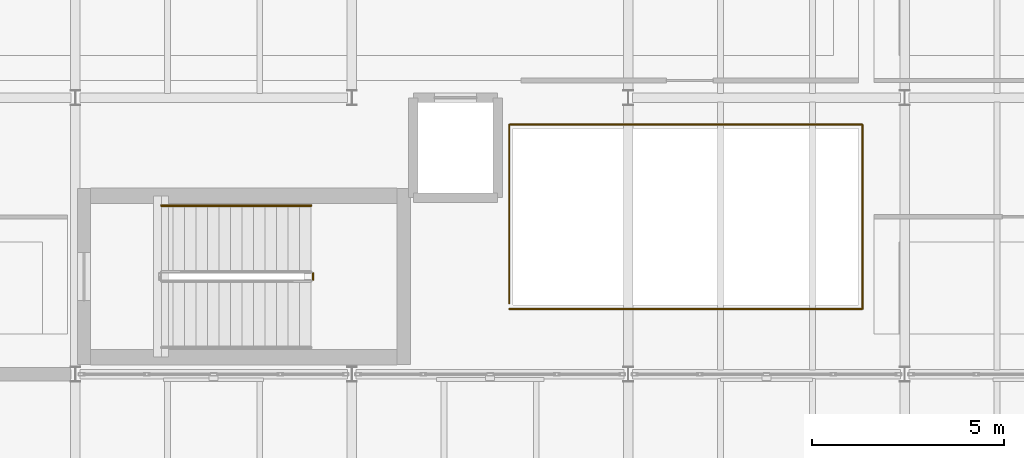
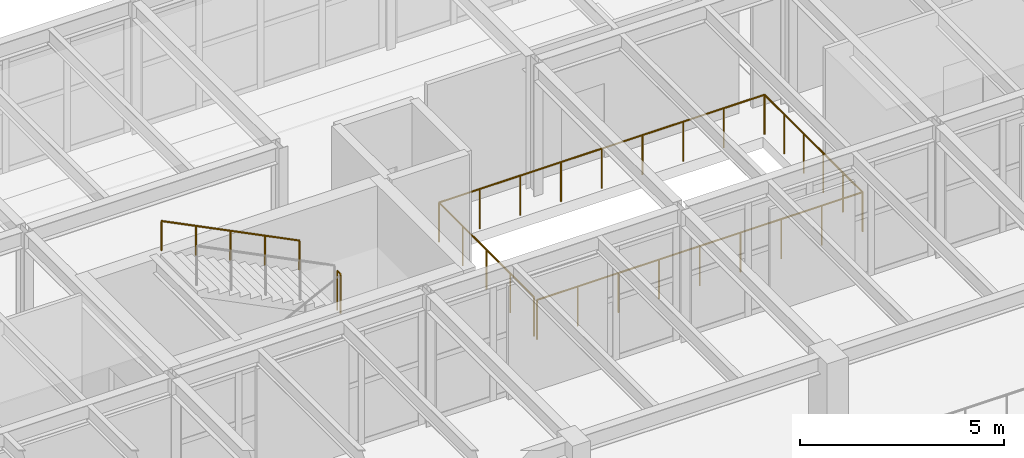
# One storey, part 56 of 59: 3 railings.
"""IFC4 building model written with IfcOpenShell, lengths in metres."""

from ifc_helpers import new_model, si_unit, direction, frame, origin, origin_2d, place, context, subcontext, project, spatial, circle, extrude, material, type_object, element, save


model = new_model("IFC4")

# Units and contexts
model_context = context("Model", 3, precision=1e-05, world=origin(), true_north=direction((0.0, 1.0)))
body_context = subcontext(model_context, "Body", "Model", "MODEL_VIEW")
ifc_project = project(units=[si_unit("LENGTHUNIT", "METRE"), si_unit("AREAUNIT", "SQUARE_METRE"), si_unit("VOLUMEUNIT", "CUBIC_METRE"), si_unit("PLANEANGLEUNIT", "RADIAN"), si_unit("MASSUNIT", "GRAM", prefix="KILO")], contexts=[model_context])

# Site, building, storey
site_placement = place(None, origin())
site = spatial("IfcSite", under=ifc_project, at=site_placement, CompositionType="ELEMENT")
building_placement = place(site_placement, origin())
building = spatial("IfcBuilding", under=site, at=building_placement, Name="Kandorven Conservatory and Botanical Research Centre", CompositionType="ELEMENT")
storey_placement = place(building_placement, frame((0.0, 0.0, 4.800048828125)))
storey = spatial("IfcBuildingStorey", under=building, at=storey_placement, Name="L01", CompositionType="ELEMENT", Elevation=4.800048828125)

# Railings
ifc_material_1 = material(Name="Steel S355 (IS 2062 E350)", Category="steel")
railing_type_1 = type_object("IfcRailingType", Name="Guard_Terrace", PredefinedType="BALUSTRADE", material=ifc_material_1)
railing_1_placement = place(storey_placement, frame((60.5, 14.89990234375, 0.0)))
element("IfcRailing", 1, at=railing_1_placement, inside=storey, type_object=railing_type_1, Name="Visitor wing atrium void guard balustrade L01", PredefinedType="BALUSTRADE", context=body_context, shape_type="SweptSolid", body=[
    extrude(circle(Radius=0.02392578125, at=origin_2d()), frame((0.0, 0.0, 1.17578125), z_axis=(1.0, 0.0, 0.0), x_axis=(0.0, 1.0, 0.0)), (0.0, 0.0, 1.0), 9.199951171875),
    extrude(circle(Radius=0.02392578125, at=origin_2d()), frame((9.199951171875, 0.0, 1.17578125), z_axis=(0.0, 1.0, 0.0), x_axis=(-1.0, 0.0, 0.0)), (0.0, 0.0, 1.0), 4.800048828125),
    extrude(circle(Radius=0.02392578125, at=origin_2d()), frame((9.199951171875, 4.800048828125, 1.17578125), z_axis=(-1.0, 0.0, 0.0), x_axis=(0.0, -1.0, 0.0)), (0.0, 0.0, 1.0), 9.199951171875),
    extrude(circle(Radius=0.02392578125, at=origin_2d()), frame((0.0, 4.800048828125, 1.17578125), z_axis=(0.0, -1.0, 0.0), x_axis=(1.0, 0.0, 0.0)), (0.0, 0.0, 1.0), 4.64990234375),
    extrude(circle(Radius=0.02099609375, at=origin_2d()), origin(), (0.0, 0.0, 1.0), 1.15185546875),
    extrude(circle(Radius=0.02099609375, at=origin_2d()), frame((1.14990234375, 0.0, 0.0)), (0.0, 0.0, 1.0), 1.15185546875),
    extrude(circle(Radius=0.02099609375, at=origin_2d()), frame((2.300048828125, 0.0, 0.0)), (0.0, 0.0, 1.0), 1.15185546875),
    extrude(circle(Radius=0.02099609375, at=origin_2d()), frame((3.449951171875, 0.0, 0.0)), (0.0, 0.0, 1.0), 1.15185546875),
    extrude(circle(Radius=0.02099609375, at=origin_2d()), frame((4.60009765625, 0.0, 0.0)), (0.0, 0.0, 1.0), 1.15185546875),
    extrude(circle(Radius=0.02099609375, at=origin_2d()), frame((5.75, 0.0, 0.0)), (0.0, 0.0, 1.0), 1.15185546875),
    extrude(circle(Radius=0.02099609375, at=origin_2d()), frame((6.89990234375, 0.0, 0.0)), (0.0, 0.0, 1.0), 1.15185546875),
    extrude(circle(Radius=0.02099609375, at=origin_2d()), frame((8.050048828125, 0.0, 0.0)), (0.0, 0.0, 1.0), 1.15185546875),
    extrude(circle(Radius=0.02099609375, at=origin_2d()), frame((9.199951171875, 0.0, 0.0)), (0.0, 0.0, 1.0), 1.15185546875),
    extrude(circle(Radius=0.02099609375, at=origin_2d()), frame((9.199951171875, 0.9599609375, 0.0)), (0.0, 0.0, 1.0), 1.15185546875),
    extrude(circle(Radius=0.02099609375, at=origin_2d()), frame((9.199951171875, 1.919921875, 0.0)), (0.0, 0.0, 1.0), 1.15185546875),
    extrude(circle(Radius=0.02099609375, at=origin_2d()), frame((9.199951171875, 2.880126953125, 0.0)), (0.0, 0.0, 1.0), 1.15185546875),
    extrude(circle(Radius=0.02099609375, at=origin_2d()), frame((9.199951171875, 3.840087890625, 0.0)), (0.0, 0.0, 1.0), 1.15185546875),
    extrude(circle(Radius=0.02099609375, at=origin_2d()), frame((9.199951171875, 4.800048828125, 0.0)), (0.0, 0.0, 1.0), 1.15185546875),
    extrude(circle(Radius=0.02099609375, at=origin_2d()), frame((8.050048828125, 4.800048828125, 0.0)), (0.0, 0.0, 1.0), 1.15185546875),
    extrude(circle(Radius=0.02099609375, at=origin_2d()), frame((6.89990234375, 4.800048828125, 0.0)), (0.0, 0.0, 1.0), 1.15185546875),
    extrude(circle(Radius=0.02099609375, at=origin_2d()), frame((5.75, 4.800048828125, 0.0)), (0.0, 0.0, 1.0), 1.15185546875),
    extrude(circle(Radius=0.02099609375, at=origin_2d()), frame((4.60009765625, 4.800048828125, 0.0)), (0.0, 0.0, 1.0), 1.15185546875),
    extrude(circle(Radius=0.02099609375, at=origin_2d()), frame((3.449951171875, 4.800048828125, 0.0)), (0.0, 0.0, 1.0), 1.15185546875),
    extrude(circle(Radius=0.02099609375, at=origin_2d()), frame((2.300048828125, 4.800048828125, 0.0)), (0.0, 0.0, 1.0), 1.15185546875),
    extrude(circle(Radius=0.02099609375, at=origin_2d()), frame((1.14990234375, 4.800048828125, 0.0)), (0.0, 0.0, 1.0), 1.15185546875),
    extrude(circle(Radius=0.02099609375, at=origin_2d()), frame((0.0, 4.800048828125, 0.0)), (0.0, 0.0, 1.0), 1.15185546875),
    extrude(circle(Radius=0.02099609375, at=origin_2d()), frame((0.0, 3.6376953125, 0.0)), (0.0, 0.0, 1.0), 1.15185546875),
    extrude(circle(Radius=0.02099609375, at=origin_2d()), frame((0.0, 2.47509765625, 0.0)), (0.0, 0.0, 1.0), 1.15185546875),
    extrude(circle(Radius=0.02099609375, at=origin_2d()), frame((0.0, 1.3125, 0.0)), (0.0, 0.0, 1.0), 1.15185546875),
    extrude(circle(Radius=0.02099609375, at=origin_2d()), frame((0.0, 0.150146484375, 0.0)), (0.0, 0.0, 1.0), 1.15185546875),
])
ifc_material_2 = material(Name="Steel S355 (IS 2062 E350)", Category="steel")
railing_type_2 = type_object("IfcRailingType", Name="StairGuard_1150", PredefinedType="BALUSTRADE", material=ifc_material_2)
railing_2_placement = place(storey_placement, frame((55.389892578125, 15.669921875, 2.099853515625)))
element("IfcRailing", 2, at=railing_2_placement, inside=storey, type_object=railing_type_2, Name="L01 ST-V3A stair guard 2", PredefinedType="BALUSTRADE", context=body_context, shape_type="SweptSolid", body=[
    extrude(circle(Radius=0.02392578125, at=origin_2d()), frame((0.0, 0.0, 1.17578125), z_axis=(0.0, 1.0, 0.0), x_axis=(-1.0, 0.0, 0.0)), (0.0, 0.0, 1.0), 0.150146484375),
    extrude(circle(Radius=0.02099609375, at=origin_2d()), origin(), (0.0, 0.0, 1.0), 1.15185546875),
    extrude(circle(Radius=0.02099609375, at=origin_2d()), frame((0.0, 0.150146484375, 0.0)), (0.0, 0.0, 1.0), 1.15185546875),
])
ifc_material_3 = material(Name="Steel S355 (IS 2062 E350)", Category="steel")
railing_type_3 = type_object("IfcRailingType", Name="StairHandrail_900", PredefinedType="HANDRAIL", material=ifc_material_3)
railing_3_placement = place(storey_placement, frame((55.340087890625, 17.590087890625, 2.25)))
element("IfcRailing", 3, at=railing_3_placement, inside=storey, type_object=railing_type_3, Name="L01 ST-V3A stair handrail 2", PredefinedType="HANDRAIL", context=body_context, shape_type="SweptSolid", body=[
    extrude(circle(Radius=0.02392578125, at=origin_2d()), frame((0.0, 0.0, 0.8759765625), z_axis=(-0.894438388696, 0.0, 0.447191199406), x_axis=(0.0, -1.0, 0.0)), (0.0, 0.0, 1.0), 4.3603515625),
    extrude(circle(Radius=0.02099609375, at=origin_2d()), origin(), (0.0, 0.0, 1.0), 0.851806640625),
    extrude(circle(Radius=0.02099609375, at=origin_2d()), frame((-0.97509765625, 0.0, 0.487548828125)), (0.0, 0.0, 1.0), 0.851806640625),
    extrude(circle(Radius=0.02099609375, at=origin_2d()), frame((-1.9501953125, 0.0, 0.97509765625)), (0.0, 0.0, 1.0), 0.851806640625),
    extrude(circle(Radius=0.02099609375, at=origin_2d()), frame((-2.925048828125, 0.0, 1.46240234375)), (0.0, 0.0, 1.0), 0.851806640625),
    extrude(circle(Radius=0.02099609375, at=origin_2d()), frame((-3.900146484375, 0.0, 1.949951171875)), (0.0, 0.0, 1.0), 0.851806640625),
])

save(model, "model.ifc")
